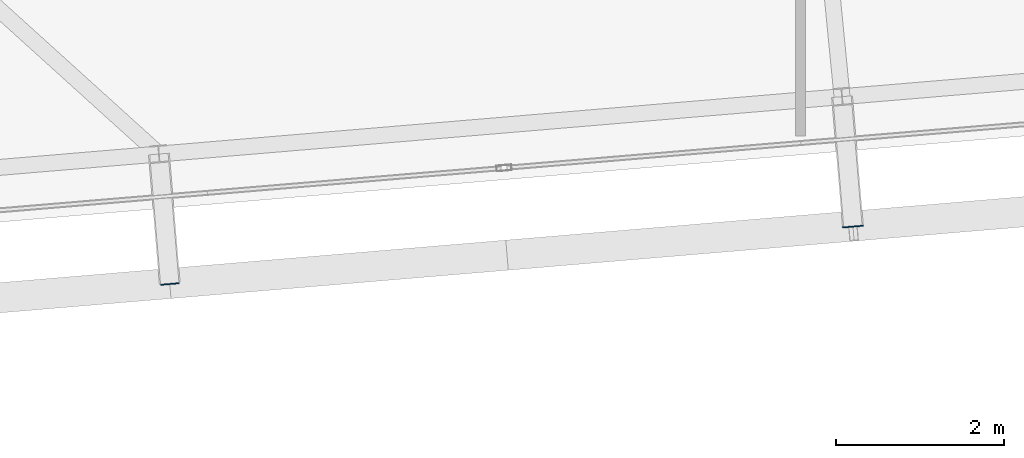
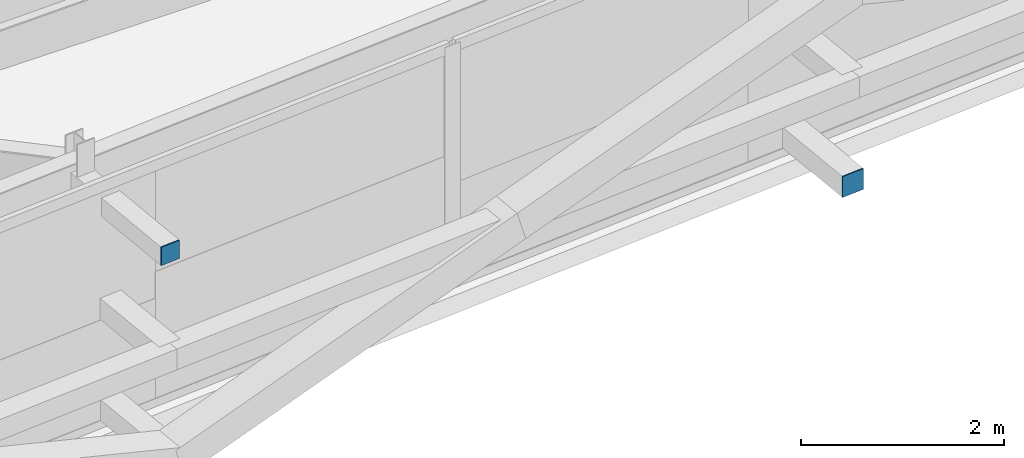
# One storey, part 28 of 39: 2 plates.
"""IFC4 building model written with IfcOpenShell, lengths in metres."""

import ifcopenshell
import ifcopenshell.guid

model = None  # the IFC model being written
_history = None  # IfcOwnerHistory: only IFC2X3 demands one
_inside = {}  # id of a spatial element -> (the spatial element, [elements in it])
_under = {}  # id of a project, library or spatial element -> (it, [spatial elements below it])
_declared = {}  # id of a project -> (the project, [libraries it declares])
_typed = {}  # id of a type object -> (the type object, [elements of that type])
_made_of = {}  # id of a material, layer set ... -> (it, [elements and type objects made of it])


def new_model(schema):
    """Start an empty IFC model of exactly this schema.

    Asked for "IFC4X3", IfcOpenShell would pick the latest addendum, in which some entities
    have other attributes; the version numbers below select the first issue.
    IFC2X3 requires an IfcOwnerHistory on every rooted entity: one is made here for all.
    """
    global model, _history
    if schema == "IFC4X3":
        model = ifcopenshell.file(schema_version=(4, 3, 0, 0))
    else:
        model = ifcopenshell.file(schema=schema)
    _inside.clear()
    _under.clear()
    _declared.clear()
    _typed.clear()
    _made_of.clear()
    _history = None
    if model.schema == "IFC2X3":
        org = make("IfcOrganization", Name="unknown")
        user = make(
            "IfcPersonAndOrganization",
            ThePerson=make("IfcPerson", FamilyName="unknown"),
            TheOrganization=org,
        )
        app = make(
            "IfcApplication",
            ApplicationDeveloper=org,
            Version="unknown",
            ApplicationFullName="unknown",
            ApplicationIdentifier="unknown",
        )
        _history = make(
            "IfcOwnerHistory",
            OwningUser=user,
            OwningApplication=app,
            ChangeAction="ADDED",
            CreationDate=0,
        )
    return model


def make(cls, **values):
    """One entity of the class cls with the attributes given. An attribute that is None is left unset."""
    return model.create_entity(
        cls, **{name: value for name, value in values.items() if value is not None}
    )


def rooted(cls, **values):
    """An entity with a GlobalId (a new one), such as an element, a storey or a relation."""
    return make(cls, GlobalId=ifcopenshell.guid.new(), OwnerHistory=_history, **values)


def si_unit(unit_type, name, prefix=None):
    """IfcSIUnit, for example si_unit("LENGTHUNIT", "METRE", prefix="MILLI")."""
    return make("IfcSIUnit", UnitType=unit_type, Prefix=prefix, Name=name)


def assignment(units):
    """IfcUnitAssignment: the units of a project."""
    return None if units is None else make("IfcUnitAssignment", Units=units)


def point(xyz):
    """IfcCartesianPoint."""
    return None if xyz is None else make("IfcCartesianPoint", Coordinates=xyz)


def direction(xyz):
    """IfcDirection."""
    return None if xyz is None else make("IfcDirection", DirectionRatios=xyz)


def frame(location, z_axis=None, x_axis=None):
    """IfcAxis2Placement3D, a coordinate frame: its origin and axes. An axis left out is left unset."""
    return make(
        "IfcAxis2Placement3D",
        Location=point(location),
        Axis=direction(z_axis),
        RefDirection=direction(x_axis),
    )


def frame_2d(location, x_axis=None):
    """IfcAxis2Placement2D, a coordinate frame in the plane: its origin and x axis."""
    return make(
        "IfcAxis2Placement2D", Location=point(location), RefDirection=direction(x_axis)
    )


def origin():
    """The frame at (0, 0, 0) with its axes left unset."""
    return frame((0.0, 0.0, 0.0))


def origin_2d():
    """The frame at (0, 0) in the plane with its x axis left unset."""
    return frame_2d((0.0, 0.0))


def place(relative_to, where):
    """IfcLocalPlacement: puts the frame where relative to a parent placement (None: the world)."""
    return make(
        "IfcLocalPlacement", PlacementRelTo=relative_to, RelativePlacement=where
    )


def context(
    kind, dimensions, precision=None, world=None, true_north=None, identifier=None
):
    """IfcGeometricRepresentationContext, for example the 3D "Model" context."""
    return make(
        "IfcGeometricRepresentationContext",
        ContextIdentifier=identifier,
        ContextType=kind,
        CoordinateSpaceDimension=dimensions,
        Precision=precision,
        WorldCoordinateSystem=world,
        TrueNorth=true_north,
    )


def subcontext(parent, identifier, kind, view, scale=None):
    """IfcGeometricRepresentationSubContext, for example "Body" below "Model"."""
    return make(
        "IfcGeometricRepresentationSubContext",
        ContextIdentifier=identifier,
        ContextType=kind,
        ParentContext=parent,
        TargetScale=scale,
        TargetView=view,
    )


def project(units=None, contexts=None):
    """IfcProject with its units and contexts."""
    return rooted(
        "IfcProject",
        Name="project",
        RepresentationContexts=contexts,
        UnitsInContext=assignment(units),
    )


def spatial(cls, under=None, at=None, **own):
    """A site, building, storey or space (cls), placed at a placement, below another one or the project."""
    s = rooted(cls, ObjectPlacement=at, **own)
    if under is not None:
        _under.setdefault(under.id(), (under, []))[1].append(s)
    return s


def profile(cls, at=None, kind="AREA", **sizes):
    """A parametric profile (cls). Its sizes go by their IFC names, for example OverallWidth=200.0."""
    return make(cls, ProfileType=kind, Position=at, **sizes)


def rectangle(**sizes):
    """IfcRectangleProfileDef."""
    return profile("IfcRectangleProfileDef", **sizes)


def extrude(swept, where, along, depth):
    """IfcExtrudedAreaSolid: the profile swept, set in the frame where, extruded along a direction by depth."""
    return make(
        "IfcExtrudedAreaSolid",
        SweptArea=swept,
        Position=where,
        ExtrudedDirection=direction(along),
        Depth=depth,
    )


def shape(context_of_items, identifier, shape_type, items):
    """IfcShapeRepresentation: the items that make up one representation, for example the "Body"."""
    return make(
        "IfcShapeRepresentation",
        ContextOfItems=context_of_items,
        RepresentationIdentifier=identifier,
        RepresentationType=shape_type,
        Items=items,
    )


def source(mapping_origin, context_of_items, identifier, shape_type, items):
    """IfcRepresentationMap: a shape defined once, which mapped items show again and again."""
    return make(
        "IfcRepresentationMap",
        MappingOrigin=mapping_origin,
        MappedRepresentation=shape(context_of_items, identifier, shape_type, items),
    )


def transform(
    local_origin,
    x_axis=None,
    y_axis=None,
    z_axis=None,
    scale=None,
    scale2=None,
    scale3=None,
    uniform=True,
):
    """IfcCartesianTransformationOperator3D, or its non-uniform kind. x_axis, y_axis, z_axis: its Axis1, 2, 3."""
    if uniform:
        return make(
            "IfcCartesianTransformationOperator3D",
            Axis1=direction(x_axis),
            Axis2=direction(y_axis),
            LocalOrigin=point(local_origin),
            Scale=scale,
            Axis3=direction(z_axis),
        )
    return make(
        "IfcCartesianTransformationOperator3DnonUniform",
        Axis1=direction(x_axis),
        Axis2=direction(y_axis),
        LocalOrigin=point(local_origin),
        Scale=scale,
        Axis3=direction(z_axis),
        Scale2=scale2,
        Scale3=scale3,
    )


def mapped(mapping_source, mapping_target):
    """IfcMappedItem: shows the shape of a source again, moved by a transform."""
    return make(
        "IfcMappedItem", MappingSource=mapping_source, MappingTarget=mapping_target
    )


def material(Name=None, Category=None):
    """IfcMaterial."""
    return make("IfcMaterial", Name=Name, Category=Category)


def layer(
    of_material, thickness, ventilated=None, Name=None, Category=None, Priority=None
):
    """IfcMaterialLayer: one layer of a wall or slab, of a material (None: an air gap)."""
    return make(
        "IfcMaterialLayer",
        Material=of_material,
        LayerThickness=thickness,
        IsVentilated=ventilated,
        Name=Name,
        Category=Category,
        Priority=Priority,
    )


def layer_set(layers, Name=None):
    """IfcMaterialLayerSet."""
    return make("IfcMaterialLayerSet", MaterialLayers=layers, LayerSetName=Name)


def made_of(thing, what):
    """Note that an element or type object is made of a material, layer set ...; save() writes the relation."""
    if what is not None:
        _made_of.setdefault(what.id(), (what, []))[1].append(thing)
    return thing


def type_object(cls, material=None, **own):
    """A type object (cls), such as IfcWallType, which elements share."""
    return made_of(rooted(cls, **own), material)


def element(
    cls,
    number,
    at=None,
    inside=None,
    cuts=None,
    type_object=None,
    material=None,
    context=None,
    identifier="Body",
    shape_type=None,
    held_by="IfcProductDefinitionShape",
    body=None,
    shapes=None,
    **own,
):
    """One element of the class cls, such as IfcWall. Its Tag is "e" and its number.

    at: its placement. inside: the storey or other place that contains it. cuts: it is an
    opening in that element (IfcRelVoidsElement). A single representation is given by context,
    identifier, shape_type and body (its items); several are given by shapes. held_by: the class
    of the entity that holds the representations. save() writes the other relations.
    """
    e = rooted(cls, Tag="e%d" % number, ObjectPlacement=at, **own)
    if body is not None:
        shapes = [shape(context, identifier, shape_type, body)]
    if shapes is not None:
        e.Representation = make(held_by, Representations=shapes)
    if inside is not None:
        _inside.setdefault(inside.id(), (inside, []))[1].append(e)
    if cuts is not None:
        rooted(
            "IfcRelVoidsElement", RelatingBuildingElement=cuts, RelatedOpeningElement=e
        )
    if type_object is not None:
        _typed.setdefault(type_object.id(), (type_object, []))[1].append(e)
    return made_of(e, material)


def aggregate(whole, parts):
    """IfcRelAggregates: a whole, such as a stair, and the parts it consists of."""
    return rooted("IfcRelAggregates", RelatingObject=whole, RelatedObjects=parts)


def save(model, path):
    """Write the relations noted so far, then the file.

    IfcRelAggregates (storeys below a building ...), IfcRelContainedInSpatialStructure (elements
    in a storey), IfcRelDefinesByType, IfcRelAssociatesMaterial and IfcRelDeclares: one each for
    every whole, place, type object, material and project.
    """
    for whole, parts in _under.values():
        aggregate(whole, parts)
    for where, things in _inside.values():
        rooted(
            "IfcRelContainedInSpatialStructure",
            RelatedElements=things,
            RelatingStructure=where,
        )
    for kind, things in _typed.values():
        rooted("IfcRelDefinesByType", RelatedObjects=things, RelatingType=kind)
    for what, things in _made_of.values():
        rooted("IfcRelAssociatesMaterial", RelatedObjects=things, RelatingMaterial=what)
    for by, libraries in _declared.values():
        rooted("IfcRelDeclares", RelatingContext=by, RelatedDefinitions=libraries)
    model.write(path)


model = new_model("IFC4")

# Units and contexts
model_context = context("Model", 3, precision=1e-05, world=origin(), true_north=direction((0.0, 1.0)))
body_context = subcontext(model_context, "Body", "Model", "MODEL_VIEW")
ifc_project = project(units=[si_unit("LENGTHUNIT", "METRE"), si_unit("AREAUNIT", "SQUARE_METRE"), si_unit("VOLUMEUNIT", "CUBIC_METRE"), si_unit("PLANEANGLEUNIT", "RADIAN"), si_unit("MASSUNIT", "GRAM", prefix="KILO")], contexts=[model_context])

# Site, building, storey
site_placement = place(None, origin())
site = spatial("IfcSite", under=ifc_project, at=site_placement, CompositionType="ELEMENT")
building_placement = place(site_placement, origin())
building = spatial("IfcBuilding", under=site, at=building_placement, Name="Taldren Reach Tower", CompositionType="ELEMENT")
storey_placement = place(building_placement, frame((0.0, 0.0, 197.75)))
storey = spatial("IfcBuildingStorey", under=building, at=storey_placement, Name="L60", CompositionType="ELEMENT", Elevation=197.75)

# Plates
ifc_material_1 = material(Name="Steel Gr 350 (C350L0)", Category="steel")
ifc_layer_1 = layer(ifc_material_1, 0.011962890625)
ifc_layer_set_1 = layer_set([ifc_layer_1], Name="Steel Gr 350 (C350L0)")
plate_type_1 = type_object("IfcPlateType", Name="PL-CAP-250", PredefinedType="SHEET", material=ifc_layer_set_1)
shared_shape_1 = source(origin(), body_context, "Body", "SweptSolid", [
    extrude(rectangle(XDim=0.25, YDim=0.011962890625, at=origin_2d()), origin(), (0.0, 0.0, 1.0), 0.25),
])
plate_1_placement = place(storey_placement, frame((42.623779296875, 2.596923828125, 0.094970703125), z_axis=(0.0, 0.0, 1.0), x_axis=(0.99649285925, 0.083677843332, 0.0)))
element("IfcPlate", 1, at=plate_1_placement, inside=storey, type_object=plate_type_1, Name="Tie strut end cap plate B4-S4 L60", PredefinedType="SHEET", context=body_context, shape_type="MappedRepresentation", body=[
    mapped(shared_shape_1, transform((0.0, 0.0, 0.0), scale=1.0)),
])
ifc_material_2 = material(Name="Steel Gr 450 (C450L0)", Category="steel")
ifc_layer_2 = layer(ifc_material_2, 0.011962890625)
ifc_layer_set_2 = layer_set([ifc_layer_2], Name="Steel Gr 450 (C450L0)")
plate_type_2 = type_object("IfcPlateType", Name="PL-CAP-220", PredefinedType="SHEET", material=ifc_layer_set_2)
shared_shape_2 = source(origin(), body_context, "Body", "SweptSolid", [
    extrude(rectangle(XDim=0.219970703125, YDim=0.011962890625, at=origin_2d()), origin(), (0.0, 0.0, 1.0), 0.219970703125),
])
plate_2_placement = place(storey_placement, frame((34.472412109375, 1.912353515625, 2.5400390625), z_axis=(0.0, 0.0, 1.0), x_axis=(0.99649285925, 0.083677843332, 0.0)))
element("IfcPlate", 2, at=plate_2_placement, inside=storey, type_object=plate_type_2, Name="Tie strut end cap plate B4-S3 L60", PredefinedType="SHEET", context=body_context, shape_type="MappedRepresentation", body=[
    mapped(shared_shape_2, transform((0.0, 0.0, 0.0), scale=1.0)),
])

save(model, "model.ifc")
